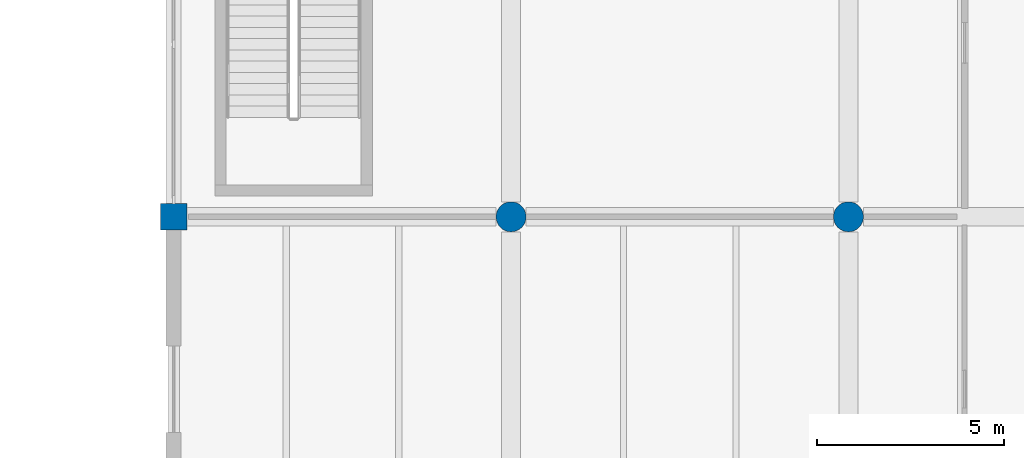
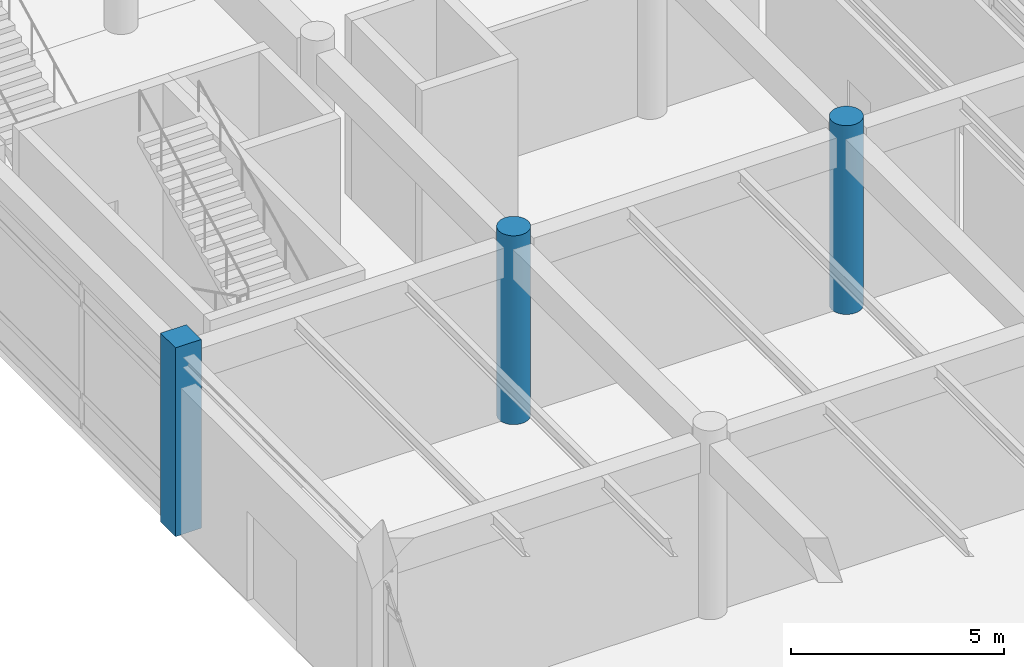
# One storey, part 12 of 76: 3 columns.
"""IFC4 building model written with IfcOpenShell, lengths in metres."""

from ifc_helpers import new_model, si_unit, direction, frame, origin, origin_2d, place, context, subcontext, project, spatial, rectangle, circle, extrude, material, material_profile, profile_set, type_object, element, save


model = new_model("IFC4")

# Units and contexts
model_context = context("Model", 3, precision=1e-05, world=origin(), true_north=direction((0.0, 1.0)))
body_context = subcontext(model_context, "Body", "Model", "MODEL_VIEW")
ifc_project = project(units=[si_unit("LENGTHUNIT", "METRE"), si_unit("AREAUNIT", "SQUARE_METRE"), si_unit("VOLUMEUNIT", "CUBIC_METRE"), si_unit("PLANEANGLEUNIT", "RADIAN"), si_unit("MASSUNIT", "GRAM", prefix="KILO")], contexts=[model_context])

# Site, building, storey
site_placement = place(None, origin())
site = spatial("IfcSite", under=ifc_project, at=site_placement, CompositionType="ELEMENT")
building_placement = place(site_placement, origin())
building = spatial("IfcBuilding", under=site, at=building_placement, Name="Bozkorgan Art Gallery", CompositionType="ELEMENT")
storey_placement = place(building_placement, origin())
storey = spatial("IfcBuildingStorey", under=building, at=storey_placement, Name="L00", CompositionType="ELEMENT", Elevation=0.0)

# Columns
ifc_material = material(Name="Concrete C40/50", Category="concrete")
ifc_material_profile_1 = material_profile(ifc_material, circle(Radius=0.39990234375, at=origin_2d()), Name="RC D800")
ifc_profile_set_1 = profile_set([ifc_material_profile_1], Name="Concrete C40/50")
column_type_1 = type_object("IfcColumnType", Name="COLUMN-C-60", PredefinedType="COLUMN", material=ifc_profile_set_1)
for number, where, z_axis, x_axis, name in (
    (1, (83.0, 56.800048828125, 0.0), (0.0, 0.0, 1.0), (1.0, 0.0, 0.0), "V4 L00 column (83.0, 56.8)"),
    (2, (92.0, 56.800048828125, 0.0), (0.0, 0.0, 1.0), (1.0, 0.0, 0.0), "V4 L00 column (92.0, 56.8)"),
):
    element("IfcColumn", number, at=place(storey_placement, frame(where, z_axis=z_axis, x_axis=x_axis)), inside=storey, type_object=column_type_1, Name=name, PredefinedType="COLUMN", context=body_context, shape_type="SweptSolid", body=[
        extrude(circle(Radius=0.39990234375, at=origin_2d()), origin(), (0.0, 0.0, 1.0), 5.39990234375),
    ])
ifc_material_profile_2 = material_profile(ifc_material, rectangle(XDim=0.699951171875, YDim=0.699951171875, at=origin_2d()), Name="RC 700x700")
ifc_profile_set_2 = profile_set([ifc_material_profile_2], Name="Concrete C40/50")
column_type_2 = type_object("IfcColumnType", Name="COLUMN-C-73", PredefinedType="COLUMN", material=ifc_profile_set_2)
column_placement = place(storey_placement, frame((74.0, 56.800048828125, 0.0), z_axis=(0.0, 0.0, 1.0), x_axis=(1.0, 0.0, 0.0)))
element("IfcColumn", 3, at=column_placement, inside=storey, type_object=column_type_2, Name="V4 L00 column (74.0, 56.8)", PredefinedType="COLUMN", context=body_context, shape_type="SweptSolid", body=[
    extrude(rectangle(XDim=0.699951171875, YDim=0.699951171875, at=origin_2d()), origin(), (0.0, 0.0, 1.0), 5.39990234375),
])

save(model, "model.ifc")
